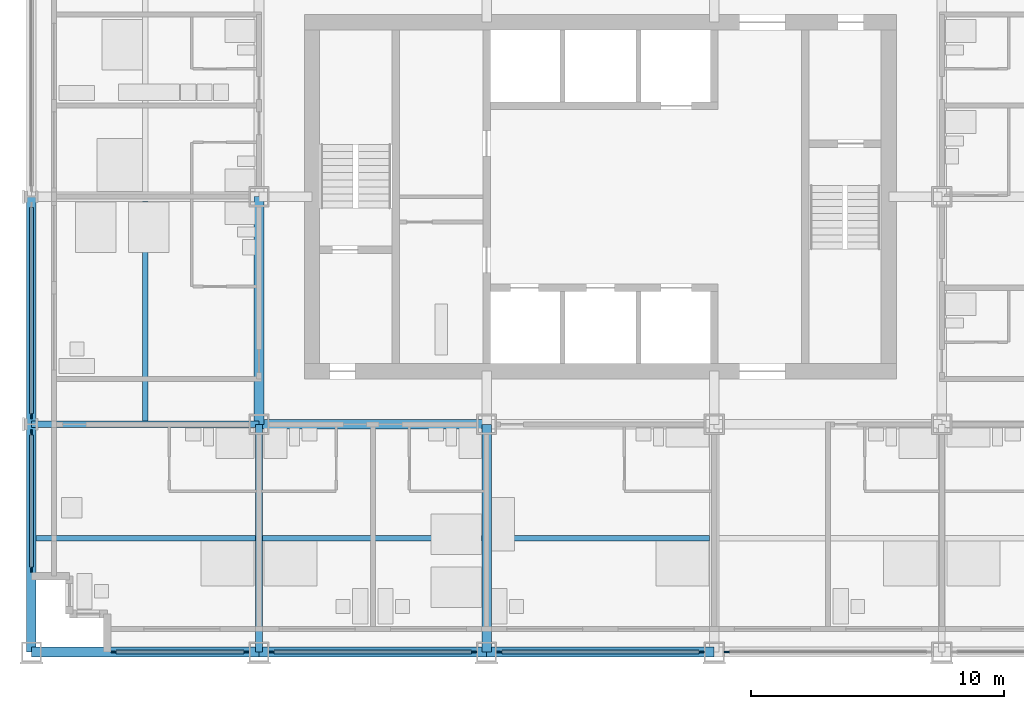
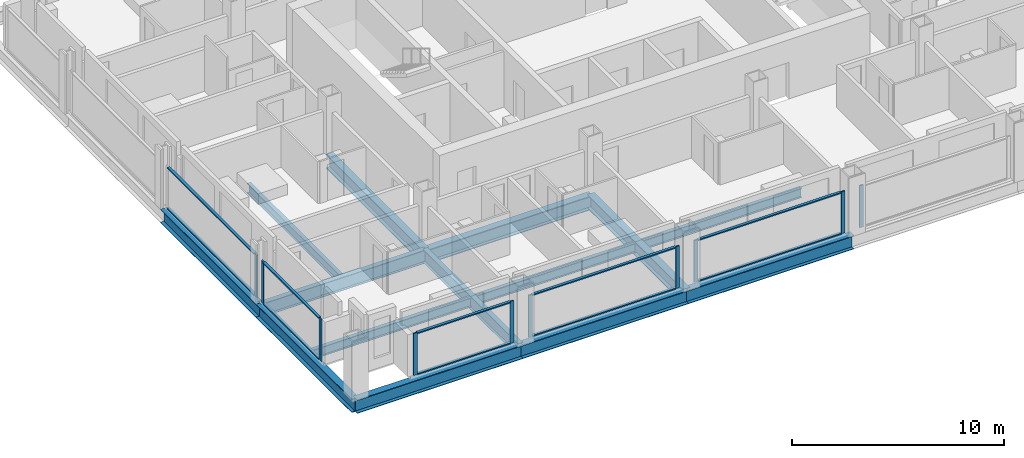
# One storey, part 2 of 17: 20 members, 14 beams, 6 elements without a shape of their own.
"""IFC4 building model written with IfcOpenShell, lengths in metres."""

from ifc_helpers import new_model, si_unit, direction, frame, origin, origin_2d, place, context, subcontext, project, spatial, rectangle, i_section, extrude, material, material_profile, profile_set, type_object, element, aggregate, save


model = new_model("IFC4")

# Units and contexts
model_context = context("Model", 3, precision=1e-05, world=origin(), true_north=direction((0.0, 1.0)))
body_context = subcontext(model_context, "Body", "Model", "MODEL_VIEW")
ifc_project = project(units=[si_unit("LENGTHUNIT", "METRE"), si_unit("AREAUNIT", "SQUARE_METRE"), si_unit("VOLUMEUNIT", "CUBIC_METRE"), si_unit("PLANEANGLEUNIT", "RADIAN"), si_unit("MASSUNIT", "GRAM", prefix="KILO")], contexts=[model_context])

# Site, building, storey
site_placement = place(None, origin())
site = spatial("IfcSite", under=ifc_project, at=site_placement, CompositionType="ELEMENT")
building_placement = place(site_placement, origin())
building = spatial("IfcBuilding", under=site, at=building_placement, Name="Loomwork Tower", CompositionType="ELEMENT")
storey_placement = place(building_placement, frame((0.0, 0.0, 138.39990234375)))
storey = spatial("IfcBuildingStorey", under=building, at=storey_placement, Name="L37", CompositionType="ELEMENT", Elevation=138.39990234375)

# Beams
ifc_material_1 = material(Name="Steel ASTM A992", Category="steel")
ifc_material_profile_1 = material_profile(ifc_material_1, i_section(OverallWidth=0.383544921875, OverallDepth=0.794921875, WebThickness=0.02099609375, FlangeThickness=0.0380859375, at=origin_2d()), Name="W30x235")
ifc_profile_set_1 = profile_set([ifc_material_profile_1], Name="Steel ASTM A992")
beam_type_1 = type_object("IfcBeamType", Name="CORE FLANK GIRDER W30x235", PredefinedType="BEAM", material=ifc_profile_set_1)
for number, where, z_axis, x_axis, name in (
    (1, (9.0, 9.0, -0.597412109375), (1.0, 0.0, 0.0), (0.0, 1.0, 0.0), "Core Flank Girder E/3-E/4 L37"),
    (2, (9.0, 9.0, -0.597412109375), (0.0, 1.0, 0.0), (-1.0, 0.0, 0.0), "Core Flank Girder E/3-F/3 L37"),
    (3, (18.0, 0.0, -0.597412109375), (0.0, 1.0, 0.0), (-1.0, 0.0, 0.0), "Core Flank Girder D/4-E/4 L37"),
):
    element("IfcBeam", number, at=place(storey_placement, frame(where, z_axis=z_axis, x_axis=x_axis)), inside=storey, type_object=beam_type_1, Name=name, PredefinedType="BEAM", context=body_context, shape_type="SweptSolid", body=[
        extrude(i_section(OverallWidth=0.383544921875, OverallDepth=0.794921875, WebThickness=0.02099609375, FlangeThickness=0.0380859375, at=origin_2d()), origin(), (0.0, 0.0, 1.0), 9.0),
    ])
ifc_material_2 = material(Name="Steel ASTM A992", Category="steel")
ifc_material_profile_2 = material_profile(ifc_material_2, i_section(OverallWidth=0.2666015625, OverallDepth=0.761962890625, WebThickness=0.014404296875, FlangeThickness=0.021484375, at=origin_2d()), Name="W30x116")
ifc_profile_set_2 = profile_set([ifc_material_profile_2], Name="Steel ASTM A992")
beam_type_2 = type_object("IfcBeamType", Name="FLOOR GIRDER W30x116", PredefinedType="BEAM", material=ifc_profile_set_2)
for number, where, z_axis, x_axis, name in (
    (4, (0.0, 9.0, -0.580810546875), (1.0, 0.0, 0.0), (0.0, 1.0, 0.0), "Floor Girder E/2-E/3 L37"),
    (5, (9.0, 0.0, -0.580810546875), (0.0, 1.0, 0.0), (-1.0, 0.0, 0.0), "Floor Girder D/3-E/3 L37"),
):
    element("IfcBeam", number, at=place(storey_placement, frame(where, z_axis=z_axis, x_axis=x_axis)), inside=storey, type_object=beam_type_2, Name=name, PredefinedType="BEAM", context=body_context, shape_type="SweptSolid", body=[
        extrude(i_section(OverallWidth=0.2666015625, OverallDepth=0.761962890625, WebThickness=0.014404296875, FlangeThickness=0.021484375, at=origin_2d()), origin(), (0.0, 0.0, 1.0), 9.0),
    ])
ifc_material_3 = material(Name="Steel ASTM A992", Category="steel")
ifc_material_profile_3 = material_profile(ifc_material_3, i_section(OverallWidth=0.2109375, OverallDepth=0.53857421875, WebThickness=0.011474609375, FlangeThickness=0.018798828125, at=origin_2d()), Name="W21x73")
ifc_profile_set_3 = profile_set([ifc_material_profile_3], Name="Steel ASTM A992")
beam_type_3 = type_object("IfcBeamType", Name="FLOOR JOIST W21x73", PredefinedType="JOIST", material=ifc_profile_set_3)
beam_1_placement = place(storey_placement, frame((0.18994140625, 4.5, -0.46923828125), z_axis=(1.0, 0.0, 0.0), x_axis=(0.0, 1.0, 0.0)))
element("IfcBeam", 6, at=beam_1_placement, inside=storey, type_object=beam_type_3, Name="Floor Joist 0.000,4.500-9.000,4.500 L37", PredefinedType="JOIST", context=body_context, shape_type="SweptSolid", body=[
    extrude(i_section(OverallWidth=0.2109375, OverallDepth=0.53857421875, WebThickness=0.011474609375, FlangeThickness=0.018798828125, at=origin_2d()), origin(), (0.0, 0.0, 1.0), 8.677001953125),
])
for number, where, z_axis, x_axis, name in (
    (7, (4.5, 9.133056640625, -0.46923828125), (0.0, 1.0, 0.0), (-1.0, 0.0, 0.0), "Floor Joist 4.500,9.000-4.500,18.000 L37"),
    (8, (9.133056640625, 4.5, -0.46923828125), (1.0, 0.0, 0.0), (0.0, 1.0, 0.0), "Floor Joist 9.000,4.500-18.000,4.500 L37"),
):
    element("IfcBeam", number, at=place(storey_placement, frame(where, z_axis=z_axis, x_axis=x_axis)), inside=storey, type_object=beam_type_3, Name=name, PredefinedType="JOIST", context=body_context, shape_type="SweptSolid", body=[
        extrude(i_section(OverallWidth=0.2109375, OverallDepth=0.53857421875, WebThickness=0.011474609375, FlangeThickness=0.018798828125, at=origin_2d()), origin(), (0.0, 0.0, 1.0), 8.676025390625),
    ])
beam_2_placement = place(storey_placement, frame((18.19091796875, 4.5, -0.46923828125), z_axis=(1.0, 0.0, 0.0), x_axis=(0.0, 1.0, 0.0)))
element("IfcBeam", 9, at=beam_2_placement, inside=storey, type_object=beam_type_3, Name="Floor Joist 18.000,4.500-27.000,4.500 L37", PredefinedType="JOIST", context=body_context, shape_type="SweptSolid", body=[
    extrude(i_section(OverallWidth=0.2109375, OverallDepth=0.53857421875, WebThickness=0.011474609375, FlangeThickness=0.018798828125, at=origin_2d()), origin(), (0.0, 0.0, 1.0), 8.6181640625),
])

# Curtain wall, members
ifc_material_4 = material(Name="Aluminium curtain wall frame", Category="aluminium")
curtain_wall_type = type_object("IfcCurtainWallType", Name="Outer skin glazing hotel", PredefinedType="NOTDEFINED", material=ifc_material_4)
curtain_wall_1_placement = place(storey_placement, origin())
curtain_wall_1 = element("IfcCurtainWall", 10, at=curtain_wall_1_placement, inside=storey, type_object=curtain_wall_type, Name="Outer skin glazing hotel cw/S-0", PredefinedType="NOTDEFINED")
ifc_material_5 = material(Name="Aluminium curtain wall frame", Category="aluminium")
ifc_material_profile_4 = material_profile(ifc_material_5, rectangle(XDim=0.06494140625, YDim=0.199951171875, at=origin_2d()), Name="AL 65x200")
ifc_profile_set_4 = profile_set([ifc_material_profile_4], Name="Aluminium curtain wall frame")
member_type_1 = type_object("IfcMemberType", Name="Outer skin glazing hotel mullion", PredefinedType="MULLION", material=ifc_profile_set_4)
member_1_placement = place(storey_placement, frame((3.25, 0.0, 0.0), z_axis=(0.0, 0.0, 1.0), x_axis=(0.0, 1.0, 0.0)))
member_1 = element("IfcMember", 11, at=member_1_placement, type_object=member_type_1, Name="CW1 mullion 1", PredefinedType="MULLION", context=body_context, shape_type="SweptSolid", body=[
    extrude(rectangle(XDim=0.06494140625, YDim=0.199951171875, at=origin_2d()), origin(), (0.0, 0.0, 1.0), 2.42041015625),
])
member_2_placement = place(storey_placement, frame((8.5, 0.0, 0.0), z_axis=(0.0, 0.0, 1.0), x_axis=(0.0, 1.0, 0.0)))
member_2 = element("IfcMember", 12, at=member_2_placement, type_object=member_type_1, Name="CW1 mullion 2", PredefinedType="MULLION", context=body_context, shape_type="SweptSolid", body=[
    extrude(rectangle(XDim=0.06494140625, YDim=0.199951171875, at=origin_2d()), origin(), (0.0, 0.0, 1.0), 2.42041015625),
])

curtain_wall_2_placement = place(storey_placement, origin())
curtain_wall_2 = element("IfcCurtainWall", 13, at=curtain_wall_2_placement, inside=storey, type_object=curtain_wall_type, Name="Outer skin glazing hotel cw/S-9", PredefinedType="NOTDEFINED")
member_3_placement = place(storey_placement, frame((9.5, 0.0, 0.0), z_axis=(0.0, 0.0, 1.0), x_axis=(0.0, 1.0, 0.0)))
member_3 = element("IfcMember", 14, at=member_3_placement, type_object=member_type_1, Name="CW1 mullion 1", PredefinedType="MULLION", context=body_context, shape_type="SweptSolid", body=[
    extrude(rectangle(XDim=0.06494140625, YDim=0.199951171875, at=origin_2d()), origin(), (0.0, 0.0, 1.0), 2.42041015625),
])
member_4_placement = place(storey_placement, frame((17.5, 0.0, 0.0), z_axis=(0.0, 0.0, 1.0), x_axis=(0.0, 1.0, 0.0)))
member_4 = element("IfcMember", 15, at=member_4_placement, type_object=member_type_1, Name="CW1 mullion 2", PredefinedType="MULLION", context=body_context, shape_type="SweptSolid", body=[
    extrude(rectangle(XDim=0.06494140625, YDim=0.199951171875, at=origin_2d()), origin(), (0.0, 0.0, 1.0), 2.42041015625),
])

curtain_wall_3_placement = place(storey_placement, origin())
curtain_wall_3 = element("IfcCurtainWall", 16, at=curtain_wall_3_placement, inside=storey, type_object=curtain_wall_type, Name="Outer skin glazing hotel cw/S-18", PredefinedType="NOTDEFINED")
member_5_placement = place(storey_placement, frame((18.5, 0.0, 0.0), z_axis=(0.0, 0.0, 1.0), x_axis=(0.0, 1.0, 0.0)))
member_5 = element("IfcMember", 17, at=member_5_placement, type_object=member_type_1, Name="CW1 mullion 1", PredefinedType="MULLION", context=body_context, shape_type="SweptSolid", body=[
    extrude(rectangle(XDim=0.06494140625, YDim=0.199951171875, at=origin_2d()), origin(), (0.0, 0.0, 1.0), 2.42041015625),
])
member_6_placement = place(storey_placement, frame((26.5, 0.0, 0.0), z_axis=(0.0, 0.0, 1.0), x_axis=(0.0, 1.0, 0.0)))
member_6 = element("IfcMember", 18, at=member_6_placement, type_object=member_type_1, Name="CW1 mullion 2", PredefinedType="MULLION", context=body_context, shape_type="SweptSolid", body=[
    extrude(rectangle(XDim=0.06494140625, YDim=0.199951171875, at=origin_2d()), origin(), (0.0, 0.0, 1.0), 2.42041015625),
])

# Curtain wall, member
curtain_wall_4_placement = place(storey_placement, origin())
curtain_wall_4 = element("IfcCurtainWall", 19, at=curtain_wall_4_placement, inside=storey, type_object=curtain_wall_type, Name="Outer skin glazing hotel cw/S-27", PredefinedType="NOTDEFINED")
member_7_placement = place(storey_placement, frame((27.5, 0.0, 0.0), z_axis=(0.0, 0.0, 1.0), x_axis=(0.0, 1.0, 0.0)))
member_7 = element("IfcMember", 20, at=member_7_placement, type_object=member_type_1, Name="CW1 mullion 1", PredefinedType="MULLION", context=body_context, shape_type="SweptSolid", body=[
    extrude(rectangle(XDim=0.06494140625, YDim=0.199951171875, at=origin_2d()), origin(), (0.0, 0.0, 1.0), 2.42041015625),
])
aggregate(curtain_wall_4, [member_7])

# Curtain wall, members
curtain_wall_5_placement = place(storey_placement, origin())
curtain_wall_5 = element("IfcCurtainWall", 21, at=curtain_wall_5_placement, inside=storey, type_object=curtain_wall_type, Name="Outer skin glazing hotel cw/W-0", PredefinedType="NOTDEFINED")
member_8_placement = place(storey_placement, frame((0.0, 8.678955078125, 0.0), z_axis=(0.0, 0.0, 1.0), x_axis=(1.0, 0.0, 0.0)))
member_8 = element("IfcMember", 22, at=member_8_placement, type_object=member_type_1, Name="CW1 mullion 1", PredefinedType="MULLION", context=body_context, shape_type="SweptSolid", body=[
    extrude(rectangle(XDim=0.06494140625, YDim=0.199951171875, at=origin_2d()), origin(), (0.0, 0.0, 1.0), 2.42041015625),
])
member_9_placement = place(storey_placement, frame((0.0, 3.25, 0.0), z_axis=(0.0, 0.0, 1.0), x_axis=(1.0, 0.0, 0.0)))
member_9 = element("IfcMember", 23, at=member_9_placement, type_object=member_type_1, Name="CW1 mullion 2", PredefinedType="MULLION", context=body_context, shape_type="SweptSolid", body=[
    extrude(rectangle(XDim=0.06494140625, YDim=0.199951171875, at=origin_2d()), origin(), (0.0, 0.0, 1.0), 2.42041015625),
])

# Curtain wall, member
curtain_wall_6_placement = place(storey_placement, origin())
curtain_wall_6 = element("IfcCurtainWall", 24, at=curtain_wall_6_placement, inside=storey, type_object=curtain_wall_type, Name="Outer skin glazing hotel cw/W-9", PredefinedType="NOTDEFINED")
member_10_placement = place(storey_placement, frame((0.0, 9.321044921875, 0.0), z_axis=(0.0, 0.0, 1.0), x_axis=(1.0, 0.0, 0.0)))
member_10 = element("IfcMember", 25, at=member_10_placement, type_object=member_type_1, Name="CW1 mullion 2", PredefinedType="MULLION", context=body_context, shape_type="SweptSolid", body=[
    extrude(rectangle(XDim=0.06494140625, YDim=0.199951171875, at=origin_2d()), origin(), (0.0, 0.0, 1.0), 2.42041015625),
])

# Member
ifc_material_6 = material(Name="Aluminium curtain wall frame", Category="aluminium")
ifc_material_profile_5 = material_profile(ifc_material_6, rectangle(XDim=0.14990234375, YDim=0.06494140625, at=origin_2d()), Name="AL 65x150")
ifc_profile_set_5 = profile_set([ifc_material_profile_5], Name="Aluminium curtain wall frame")
member_type_2 = type_object("IfcMemberType", Name="Outer skin glazing hotel transom", PredefinedType="USERDEFINED", material=ifc_profile_set_5)
member_11_placement = place(storey_placement, frame((3.35009765625, 0.0, 0.03271484375), z_axis=(1.0, 0.0, 0.0), x_axis=(0.0, 1.0, 0.0)))
member_11 = element("IfcMember", 26, at=member_11_placement, type_object=member_type_2, Name="CW1 transom 1.1", ObjectType="TRANSOM", PredefinedType="USERDEFINED", context=body_context, shape_type="SweptSolid", body=[
    extrude(rectangle(XDim=0.14990234375, YDim=0.06494140625, at=origin_2d()), origin(), (0.0, 0.0, 1.0), 5.0498046875),
])

member_12_placement = place(storey_placement, frame((3.35009765625, 0.0, 2.3876953125), z_axis=(1.0, 0.0, 0.0), x_axis=(0.0, 1.0, 0.0)))
member_12 = element("IfcMember", 27, at=member_12_placement, type_object=member_type_2, Name="CW1 transom 1.2", ObjectType="TRANSOM", PredefinedType="USERDEFINED", context=body_context, shape_type="SweptSolid", body=[
    extrude(rectangle(XDim=0.14990234375, YDim=0.06494140625, at=origin_2d()), origin(), (0.0, 0.0, 1.0), 5.0498046875),
])

aggregate(curtain_wall_1, [member_1, member_2, member_11, member_12])

member_13_placement = place(storey_placement, frame((9.60009765625, 0.0, 0.03271484375), z_axis=(1.0, 0.0, 0.0), x_axis=(0.0, 1.0, 0.0)))
member_13 = element("IfcMember", 28, at=member_13_placement, type_object=member_type_2, Name="CW1 transom 1.1", ObjectType="TRANSOM", PredefinedType="USERDEFINED", context=body_context, shape_type="SweptSolid", body=[
    extrude(rectangle(XDim=0.14990234375, YDim=0.06494140625, at=origin_2d()), origin(), (0.0, 0.0, 1.0), 7.7998046875),
])

member_14_placement = place(storey_placement, frame((9.60009765625, 0.0, 2.3876953125), z_axis=(1.0, 0.0, 0.0), x_axis=(0.0, 1.0, 0.0)))
member_14 = element("IfcMember", 29, at=member_14_placement, type_object=member_type_2, Name="CW1 transom 1.2", ObjectType="TRANSOM", PredefinedType="USERDEFINED", context=body_context, shape_type="SweptSolid", body=[
    extrude(rectangle(XDim=0.14990234375, YDim=0.06494140625, at=origin_2d()), origin(), (0.0, 0.0, 1.0), 7.7998046875),
])

aggregate(curtain_wall_2, [member_3, member_4, member_13, member_14])

member_15_placement = place(storey_placement, frame((18.60009765625, 0.0, 0.03271484375), z_axis=(1.0, 0.0, 0.0), x_axis=(0.0, 1.0, 0.0)))
member_15 = element("IfcMember", 30, at=member_15_placement, type_object=member_type_2, Name="CW1 transom 1.1", ObjectType="TRANSOM", PredefinedType="USERDEFINED", context=body_context, shape_type="SweptSolid", body=[
    extrude(rectangle(XDim=0.14990234375, YDim=0.06494140625, at=origin_2d()), origin(), (0.0, 0.0, 1.0), 7.7998046875),
])

member_16_placement = place(storey_placement, frame((18.60009765625, 0.0, 2.3876953125), z_axis=(1.0, 0.0, 0.0), x_axis=(0.0, 1.0, 0.0)))
member_16 = element("IfcMember", 31, at=member_16_placement, type_object=member_type_2, Name="CW1 transom 1.2", ObjectType="TRANSOM", PredefinedType="USERDEFINED", context=body_context, shape_type="SweptSolid", body=[
    extrude(rectangle(XDim=0.14990234375, YDim=0.06494140625, at=origin_2d()), origin(), (0.0, 0.0, 1.0), 7.7998046875),
])

aggregate(curtain_wall_3, [member_5, member_6, member_15, member_16])

member_17_placement = place(storey_placement, frame((0.0, 8.5791015625, 0.03271484375), z_axis=(0.0, -1.0, 0.0), x_axis=(1.0, 0.0, 0.0)))
member_17 = element("IfcMember", 32, at=member_17_placement, type_object=member_type_2, Name="CW1 transom 1.1", ObjectType="TRANSOM", PredefinedType="USERDEFINED", context=body_context, shape_type="SweptSolid", body=[
    extrude(rectangle(XDim=0.14990234375, YDim=0.06494140625, at=origin_2d()), origin(), (0.0, 0.0, 1.0), 5.22900390625),
])

member_18_placement = place(storey_placement, frame((0.0, 8.5791015625, 2.3876953125), z_axis=(0.0, -1.0, 0.0), x_axis=(1.0, 0.0, 0.0)))
member_18 = element("IfcMember", 33, at=member_18_placement, type_object=member_type_2, Name="CW1 transom 1.2", ObjectType="TRANSOM", PredefinedType="USERDEFINED", context=body_context, shape_type="SweptSolid", body=[
    extrude(rectangle(XDim=0.14990234375, YDim=0.06494140625, at=origin_2d()), origin(), (0.0, 0.0, 1.0), 5.22900390625),
])

aggregate(curtain_wall_5, [member_8, member_9, member_17, member_18])

member_19_placement = place(storey_placement, frame((0.0, 17.5791015625, 0.03271484375), z_axis=(0.0, -1.0, 0.0), x_axis=(1.0, 0.0, 0.0)))
member_19 = element("IfcMember", 34, at=member_19_placement, type_object=member_type_2, Name="CW1 transom 1.1", ObjectType="TRANSOM", PredefinedType="USERDEFINED", context=body_context, shape_type="SweptSolid", body=[
    extrude(rectangle(XDim=0.14990234375, YDim=0.06494140625, at=origin_2d()), origin(), (0.0, 0.0, 1.0), 8.158203125),
])

member_20_placement = place(storey_placement, frame((0.0, 17.5791015625, 2.3876953125), z_axis=(0.0, -1.0, 0.0), x_axis=(1.0, 0.0, 0.0)))
member_20 = element("IfcMember", 35, at=member_20_placement, type_object=member_type_2, Name="CW1 transom 1.2", ObjectType="TRANSOM", PredefinedType="USERDEFINED", context=body_context, shape_type="SweptSolid", body=[
    extrude(rectangle(XDim=0.14990234375, YDim=0.06494140625, at=origin_2d()), origin(), (0.0, 0.0, 1.0), 8.158203125),
])

aggregate(curtain_wall_6, [member_10, member_19, member_20])

# Beams
ifc_material_7 = material(Name="Steel ASTM A992", Category="steel")
ifc_material_profile_6 = material_profile(ifc_material_7, i_section(OverallWidth=0.381103515625, OverallDepth=0.77978515625, WebThickness=0.01806640625, FlangeThickness=0.0302734375, at=origin_2d()), Name="W30x191")
ifc_profile_set_6 = profile_set([ifc_material_profile_6], Name="Steel ASTM A992")
beam_type_4 = type_object("IfcBeamType", Name="SPANDREL GIRDER W30x191", PredefinedType="SPANDREL", material=ifc_profile_set_6)
for number, where, z_axis, x_axis, name in (
    (36, (0.0, 0.0, -0.58984375), (1.0, 0.0, 0.0), (0.0, 1.0, 0.0), "Spandrel Girder D/2-D/3 L37"),
    (37, (9.0, 0.0, -0.58984375), (1.0, 0.0, 0.0), (0.0, 1.0, 0.0), "Spandrel Girder D/3-D/4 L37"),
    (38, (18.0, 0.0, -0.58984375), (1.0, 0.0, 0.0), (0.0, 1.0, 0.0), "Spandrel Girder D/4-D/5 L37"),
    (39, (0.0, 0.0, -0.58984375), (0.0, 1.0, 0.0), (-1.0, 0.0, 0.0), "Spandrel Girder D/2-E/2 L37"),
    (40, (0.0, 9.0, -0.58984375), (0.0, 1.0, 0.0), (-1.0, 0.0, 0.0), "Spandrel Girder E/2-F/2 L37"),
):
    element("IfcBeam", number, at=place(storey_placement, frame(where, z_axis=z_axis, x_axis=x_axis)), inside=storey, type_object=beam_type_4, Name=name, PredefinedType="SPANDREL", context=body_context, shape_type="SweptSolid", body=[
        extrude(i_section(OverallWidth=0.381103515625, OverallDepth=0.77978515625, WebThickness=0.01806640625, FlangeThickness=0.0302734375, at=origin_2d()), origin(), (0.0, 0.0, 1.0), 9.0),
    ])

save(model, "model.ifc")
